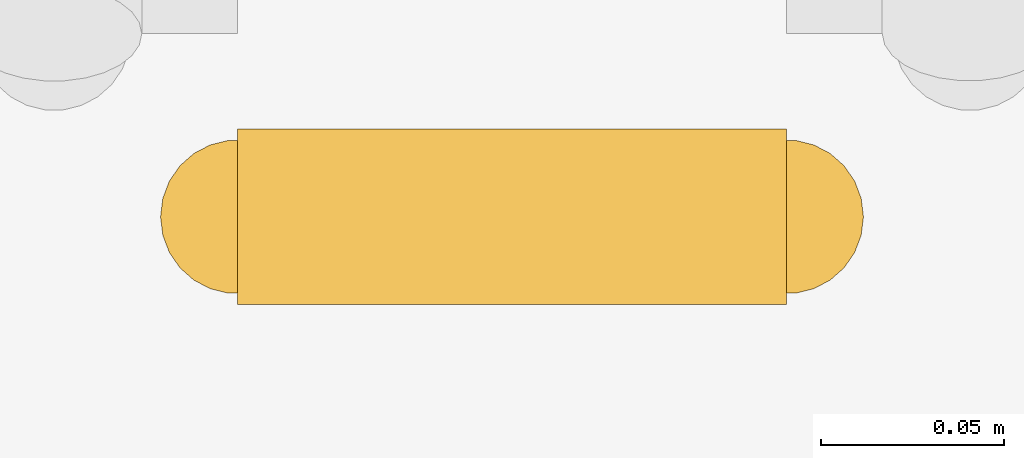
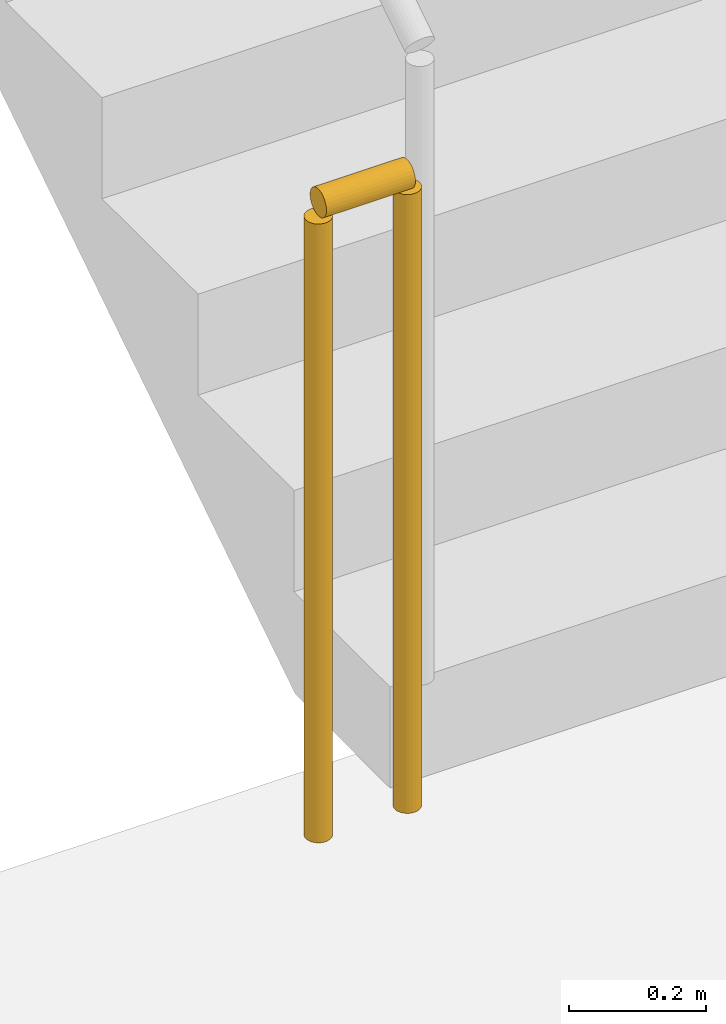
# One storey, part 27 of 36: 1 railing.
"""IFC4 building model written with IfcOpenShell, lengths in metres."""

from ifc_helpers import new_model, si_unit, direction, frame, origin, origin_2d, place, context, subcontext, project, spatial, circle, extrude, material, type_object, element, save


model = new_model("IFC4")

# Units and contexts
model_context = context("Model", 3, precision=1e-05, world=origin(), true_north=direction((0.0, 1.0)))
body_context = subcontext(model_context, "Body", "Model", "MODEL_VIEW")
ifc_project = project(units=[si_unit("LENGTHUNIT", "METRE"), si_unit("AREAUNIT", "SQUARE_METRE"), si_unit("VOLUMEUNIT", "CUBIC_METRE"), si_unit("PLANEANGLEUNIT", "RADIAN"), si_unit("MASSUNIT", "GRAM", prefix="KILO")], contexts=[model_context])

# Site, building, storey
site_placement = place(None, origin())
site = spatial("IfcSite", under=ifc_project, at=site_placement, CompositionType="ELEMENT")
building_placement = place(site_placement, origin())
building = spatial("IfcBuilding", under=site, at=building_placement, Name="Trevonay Congress Spire", CompositionType="ELEMENT")
storey_placement = place(building_placement, frame((0.0, 0.0, 5.39990234375)))
storey = spatial("IfcBuildingStorey", under=building, at=storey_placement, Name="L01", CompositionType="ELEMENT", Elevation=5.39990234375)

# Railing
ifc_material = material(Name="Pale Anodised Aluminium EN AW-6063-T6", Category="aluminium")
railing_type = type_object("IfcRailingType", Name="RAL-STAIR-GUARD-110", PredefinedType="GUARDRAIL", material=ifc_material)
railing_placement = place(storey_placement, frame((-5.10009765625, -5.300048828125, 0.0)))
element("IfcRailing", 1, at=railing_placement, inside=storey, type_object=railing_type, Name="L01 ST-1 stair guard 4", PredefinedType="GUARDRAIL", context=body_context, shape_type="SweptSolid", body=[
    extrude(circle(Radius=0.02392578125, at=origin_2d()), frame((0.0, 0.0, 1.1259765625), z_axis=(-1.0, 0.0, 0.0), x_axis=(0.0, -1.0, 0.0)), (0.0, 0.0, 1.0), 0.14990234375),
    extrude(circle(Radius=0.02099609375, at=origin_2d()), origin(), (0.0, 0.0, 1.0), 1.101806640625),
    extrude(circle(Radius=0.02099609375, at=origin_2d()), frame((-0.14990234375, 0.0, 0.0)), (0.0, 0.0, 1.0), 1.101806640625),
])

save(model, "model.ifc")
